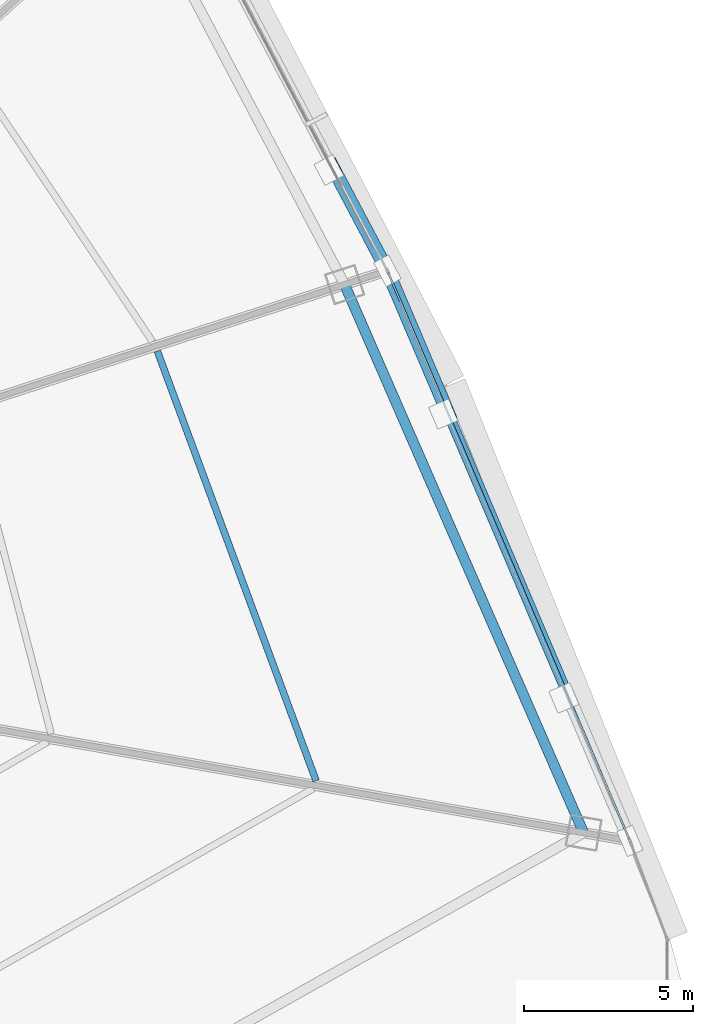
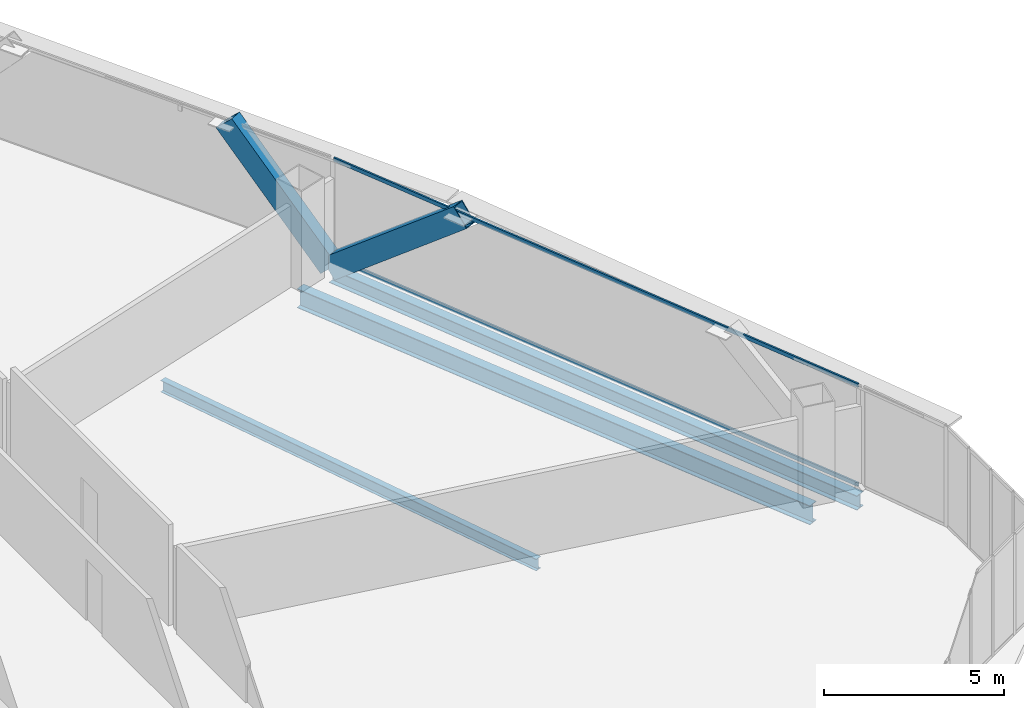
# One storey, part 27 of 40: 4 members, 3 beams, 1 element without a shape of its own.
"""IFC4 building model written with IfcOpenShell, lengths in metres."""

from ifc_helpers import new_model, si_unit, direction, frame, origin, origin_2d, place, context, subcontext, project, spatial, hollow_rectangle, i_section, extrude, source, transform, mapped, material, layer, layer_set, material_profile, profile_set, type_object, element, aggregate, save


model = new_model("IFC4")

# Units and contexts
model_context = context("Model", 3, precision=1e-05, world=origin(), true_north=direction((0.0, 1.0)))
body_context = subcontext(model_context, "Body", "Model", "MODEL_VIEW")
ifc_project = project(units=[si_unit("LENGTHUNIT", "METRE"), si_unit("AREAUNIT", "SQUARE_METRE"), si_unit("VOLUMEUNIT", "CUBIC_METRE"), si_unit("PLANEANGLEUNIT", "RADIAN"), si_unit("MASSUNIT", "GRAM", prefix="KILO"), si_unit("THERMODYNAMICTEMPERATUREUNIT", "KELVIN"), si_unit("POWERUNIT", "WATT")], contexts=[model_context])

# Site, building, storey
site_placement = place(None, origin())
site = spatial("IfcSite", under=ifc_project, at=site_placement, CompositionType="ELEMENT")
building_placement = place(site_placement, origin())
building = spatial("IfcBuilding", under=site, at=building_placement, Name="Yunzhuo Pagoda Commons", CompositionType="ELEMENT")
storey_placement = place(building_placement, frame((0.0, 0.0, 159.27001953125)))
storey = spatial("IfcBuildingStorey", under=building, at=storey_placement, Name="L40", CompositionType="ELEMENT", Elevation=159.27001953125)

# Beams
ifc_material_1 = material(Name="Structural steel Q355B", Category="steel")
ifc_material_profile_1 = material_profile(ifc_material_1, i_section(OverallWidth=0.300048828125, OverallDepth=0.64990234375, WebThickness=0.012939453125, FlangeThickness=0.02197265625, at=origin_2d()), Name="Structural steel Q355B")
ifc_profile_set_1 = profile_set([ifc_material_profile_1], Name="Structural steel Q355B")
beam_type_1 = type_object("IfcBeamType", Name="B-RG2 Beam HN 650x300x13x22", PredefinedType="BEAM", material=ifc_profile_set_1)
shared_shape_1 = source(origin(), body_context, "Body", "SweptSolid", [
    extrude(i_section(OverallWidth=0.300048828125, OverallDepth=0.64990234375, WebThickness=0.012939453125, FlangeThickness=0.02197265625, at=origin_2d()), origin(), (0.0, 0.0, 1.0), 17.72021484375),
])
beam_1_placement = place(storey_placement, frame((84.9970703125, 27.176513671875, -0.5849609375), z_axis=(-0.399643307961, 0.916670729544, 0.0), x_axis=(-0.916670729544, -0.399643307961, 0.0)))
element("IfcBeam", 1, at=beam_1_placement, inside=storey, type_object=beam_type_1, Name="L40 column-ring beam 5", PredefinedType="BEAM", context=body_context, shape_type="MappedRepresentation", body=[
    mapped(shared_shape_1, transform((0.0, 0.0, 0.0), scale=1.0)),
])
ifc_material_profile_2 = material_profile(ifc_material_1, i_section(OverallWidth=0.199951171875, OverallDepth=0.39990234375, WebThickness=0.008056640625, FlangeThickness=0.012939453125, at=origin_2d()), Name="Structural steel Q355B")
ifc_profile_set_2 = profile_set([ifc_material_profile_2], Name="Structural steel Q355B")
beam_type_2 = type_object("IfcBeamType", Name="B-JS1 Joist HN 400x200x8x13", PredefinedType="JOIST", material=ifc_profile_set_2)
shared_shape_2 = source(origin(), body_context, "Body", "SweptSolid", [
    extrude(i_section(OverallWidth=0.199951171875, OverallDepth=0.39990234375, WebThickness=0.008056640625, FlangeThickness=0.012939453125, at=origin_2d()), origin(), (0.0, 0.0, 1.0), 13.57763671875),
])
beam_2_placement = place(storey_placement, frame((77.07080078125, 28.71337890625, -0.4599609375), z_axis=(-0.346531829181, 0.938038214235, 0.0), x_axis=(-0.938038214235, -0.346531829181, 0.0)))
element("IfcBeam", 2, at=beam_2_placement, inside=storey, type_object=beam_type_2, Name="L40 composite ring joist 2.5", PredefinedType="JOIST", context=body_context, shape_type="MappedRepresentation", body=[
    mapped(shared_shape_2, transform((0.0, 0.0, 0.0), scale=1.0)),
])
ifc_material_profile_3 = material_profile(ifc_material_1, i_section(OverallWidth=0.300048828125, OverallDepth=0.488037109375, WebThickness=0.010986328125, FlangeThickness=0.01806640625, at=origin_2d()), Name="Structural steel Q355B")
ifc_profile_set_3 = profile_set([ifc_material_profile_3], Name="Structural steel Q355B")
beam_type_3 = type_object("IfcBeamType", Name="B-SP1 Beam HM 488x300x11x18", PredefinedType="BEAM", material=ifc_profile_set_3)
shared_shape_3 = source(origin(), body_context, "Body", "SweptSolid", [
    extrude(i_section(OverallWidth=0.300048828125, OverallDepth=0.488037109375, WebThickness=0.010986328125, FlangeThickness=0.01806640625, at=origin_2d()), origin(), (0.0, 0.0, 1.0), 18.362548828125),
])
beam_3_placement = place(storey_placement, frame((86.3701171875, 26.934326171875, -0.50390625), z_axis=(-0.391409773714, 0.920216490312, 0.0), x_axis=(-0.920216490312, -0.391409773714, 0.0)))
element("IfcBeam", 3, at=beam_3_placement, inside=storey, type_object=beam_type_3, Name="L40 facade edge spandrel beam F2.1", PredefinedType="BEAM", context=body_context, shape_type="MappedRepresentation", body=[
    mapped(shared_shape_3, transform((0.0, 0.0, 0.0), scale=1.0)),
])

# Members
ifc_material_profile_4 = material_profile(ifc_material_1, hollow_rectangle(XDim=0.39990234375, YDim=0.719970703125, WallThickness=0.02392578125, at=origin_2d()), Name="Structural steel Q355B")
ifc_profile_set_4 = profile_set([ifc_material_profile_4], Name="Structural steel Q355B")
member_type_1 = type_object("IfcMemberType", Name="M-DL2 Brace BOX 720x400x24", PredefinedType="BRACE", material=ifc_profile_set_4)
shared_shape_4 = source(origin(), body_context, "Body", "SweptSolid", [
    extrude(hollow_rectangle(XDim=0.39990234375, YDim=0.719970703125, WallThickness=0.02392578125, at=origin_2d()), origin(), (0.0, 0.0, 1.0), 5.883544921875),
])
member_1_placement = place(storey_placement, frame((79.182861328125, 43.831787109375, -0.260009765625), z_axis=(0.305370042865, -0.718007589577, 0.625471212951), x_axis=(0.920230856435, 0.391375996793, 0.0)))
element("IfcMember", 4, at=member_1_placement, inside=storey, type_object=member_type_1, Name="L40 facade diamond brace F2.1R", PredefinedType="BRACE", context=body_context, shape_type="MappedRepresentation", body=[
    mapped(shared_shape_4, transform((0.0, 0.0, 0.0), scale=1.0)),
])
shared_shape_5 = source(origin(), body_context, "Body", "SweptSolid", [
    extrude(hollow_rectangle(XDim=0.39990234375, YDim=0.719970703125, WallThickness=0.02392578125, at=origin_2d()), origin(), (0.0, 0.0, 1.0), 5.0361328125),
])
member_2_placement = place(storey_placement, frame((79.182861328125, 43.831787109375, -0.260009765625), z_axis=(-0.319078548014, 0.603544199753, 0.73070053999), x_axis=(-0.884057218692, -0.467378683809, 0.0)))
element("IfcMember", 5, at=member_2_placement, inside=storey, type_object=member_type_1, Name="L40 facade diamond brace F2.2L", PredefinedType="BRACE", context=body_context, shape_type="MappedRepresentation", body=[
    mapped(shared_shape_5, transform((0.0, 0.0, 0.0), scale=1.0)),
])

# Curtain wall, members
ifc_material_2 = material(Name="Anodized aluminium 6063-T6", Category="aluminium")
ifc_layer = layer(ifc_material_2, 0.14990234375)
ifc_layer_set = layer_set([ifc_layer], Name="Anodized aluminium 6063-T6")
curtain_wall_type = type_object("IfcCurtainWallType", Name="CW-MID Mid-Zone Ribbon Curtain Wall", PredefinedType="NOTDEFINED", material=ifc_layer_set)
curtain_wall_placement = place(storey_placement, origin())
curtain_wall = element("IfcCurtainWall", 6, at=curtain_wall_placement, inside=storey, type_object=curtain_wall_type, Name="L40 curtain wall CW-L40-F2B2", PredefinedType="NOTDEFINED")
ifc_material_profile_5 = material_profile(ifc_material_2, hollow_rectangle(XDim=0.054931640625, YDim=0.1298828125, WallThickness=0.00341796875, at=origin_2d()), Name="Anodized aluminium 6063-T6")
ifc_profile_set_5 = profile_set([ifc_material_profile_5], Name="Anodized aluminium 6063-T6")
member_type_2 = type_object("IfcMemberType", Name="CW-MID-T Transom RHS 130x55x3.5", PredefinedType="USERDEFINED", material=ifc_profile_set_5)
shared_shape_6 = source(origin(), body_context, "Body", "SweptSolid", [
    extrude(hollow_rectangle(XDim=0.054931640625, YDim=0.1298828125, WallThickness=0.00341796875, at=origin_2d()), origin(), (0.0, 0.0, 1.0), 18.24267578125),
])
member_3_placement = place(storey_placement, frame((86.3466796875, 26.989501953125, 0.027587890625), z_axis=(-0.391412675822, 0.920215255908, 0.0), x_axis=(-0.920215255908, -0.391412675822, 0.0)))
member_3 = element("IfcMember", 7, at=member_3_placement, type_object=member_type_2, Name="CW transom 1.1", ObjectType="TRANSOM", PredefinedType="USERDEFINED", context=body_context, shape_type="MappedRepresentation", body=[
    mapped(shared_shape_6, transform((0.0, 0.0, 0.0), scale=1.0)),
])
member_4_placement = place(storey_placement, frame((86.3466796875, 26.989501953125, 3.392578125), z_axis=(-0.391412675822, 0.920215255908, 0.0), x_axis=(-0.920215255908, -0.391412675822, 0.0)))
member_4 = element("IfcMember", 8, at=member_4_placement, type_object=member_type_2, Name="CW transom 1.2", ObjectType="TRANSOM", PredefinedType="USERDEFINED", context=body_context, shape_type="MappedRepresentation", body=[
    mapped(shared_shape_6, transform((0.0, 0.0, 0.0), scale=1.0)),
])
aggregate(curtain_wall, [member_3, member_4])

save(model, "model.ifc")
